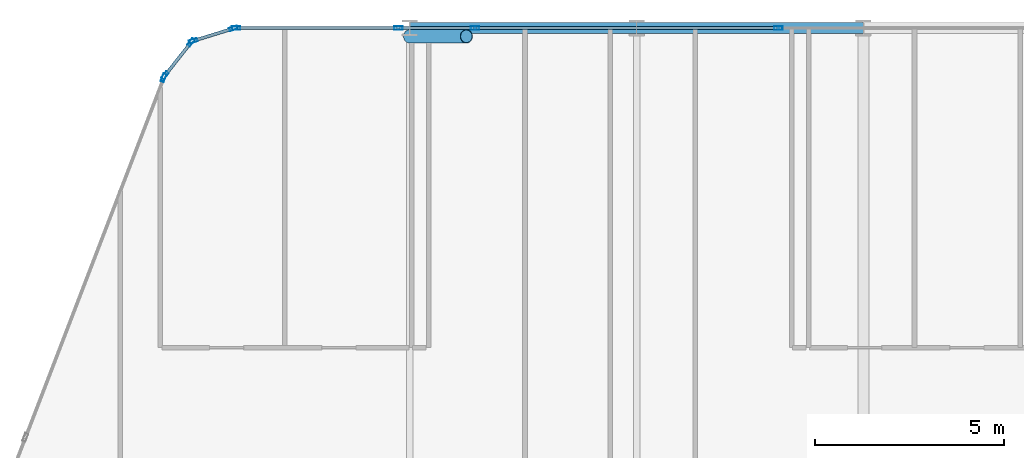
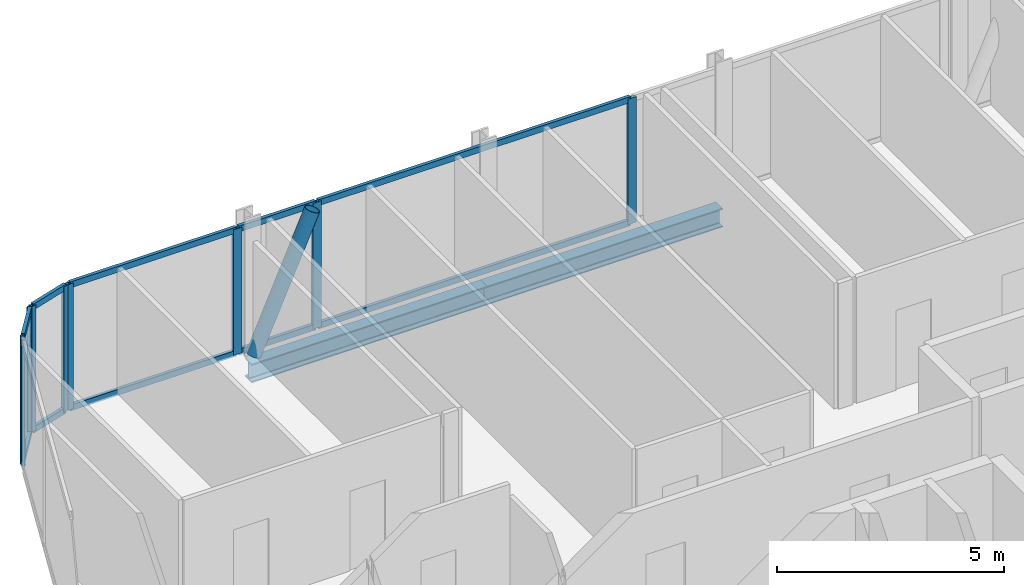
# One storey, part 13 of 33: 20 members, 2 beams, 6 elements without a shape of their own.
"""IFC4 building model written with IfcOpenShell, lengths in metres."""

import ifcopenshell
import ifcopenshell.guid

model = None  # the IFC model being written
_history = None  # IfcOwnerHistory: only IFC2X3 demands one
_inside = {}  # id of a spatial element -> (the spatial element, [elements in it])
_under = {}  # id of a project, library or spatial element -> (it, [spatial elements below it])
_declared = {}  # id of a project -> (the project, [libraries it declares])
_typed = {}  # id of a type object -> (the type object, [elements of that type])
_made_of = {}  # id of a material, layer set ... -> (it, [elements and type objects made of it])


def new_model(schema):
    """Start an empty IFC model of exactly this schema.

    Asked for "IFC4X3", IfcOpenShell would pick the latest addendum, in which some entities
    have other attributes; the version numbers below select the first issue.
    IFC2X3 requires an IfcOwnerHistory on every rooted entity: one is made here for all.
    """
    global model, _history
    if schema == "IFC4X3":
        model = ifcopenshell.file(schema_version=(4, 3, 0, 0))
    else:
        model = ifcopenshell.file(schema=schema)
    _inside.clear()
    _under.clear()
    _declared.clear()
    _typed.clear()
    _made_of.clear()
    _history = None
    if model.schema == "IFC2X3":
        org = make("IfcOrganization", Name="unknown")
        user = make(
            "IfcPersonAndOrganization",
            ThePerson=make("IfcPerson", FamilyName="unknown"),
            TheOrganization=org,
        )
        app = make(
            "IfcApplication",
            ApplicationDeveloper=org,
            Version="unknown",
            ApplicationFullName="unknown",
            ApplicationIdentifier="unknown",
        )
        _history = make(
            "IfcOwnerHistory",
            OwningUser=user,
            OwningApplication=app,
            ChangeAction="ADDED",
            CreationDate=0,
        )
    return model


def make(cls, **values):
    """One entity of the class cls with the attributes given. An attribute that is None is left unset."""
    return model.create_entity(
        cls, **{name: value for name, value in values.items() if value is not None}
    )


def rooted(cls, **values):
    """An entity with a GlobalId (a new one), such as an element, a storey or a relation."""
    return make(cls, GlobalId=ifcopenshell.guid.new(), OwnerHistory=_history, **values)


def si_unit(unit_type, name, prefix=None):
    """IfcSIUnit, for example si_unit("LENGTHUNIT", "METRE", prefix="MILLI")."""
    return make("IfcSIUnit", UnitType=unit_type, Prefix=prefix, Name=name)


def assignment(units):
    """IfcUnitAssignment: the units of a project."""
    return None if units is None else make("IfcUnitAssignment", Units=units)


def point(xyz):
    """IfcCartesianPoint."""
    return None if xyz is None else make("IfcCartesianPoint", Coordinates=xyz)


def direction(xyz):
    """IfcDirection."""
    return None if xyz is None else make("IfcDirection", DirectionRatios=xyz)


def frame(location, z_axis=None, x_axis=None):
    """IfcAxis2Placement3D, a coordinate frame: its origin and axes. An axis left out is left unset."""
    return make(
        "IfcAxis2Placement3D",
        Location=point(location),
        Axis=direction(z_axis),
        RefDirection=direction(x_axis),
    )


def frame_2d(location, x_axis=None):
    """IfcAxis2Placement2D, a coordinate frame in the plane: its origin and x axis."""
    return make(
        "IfcAxis2Placement2D", Location=point(location), RefDirection=direction(x_axis)
    )


def origin():
    """The frame at (0, 0, 0) with its axes left unset."""
    return frame((0.0, 0.0, 0.0))


def origin_2d():
    """The frame at (0, 0) in the plane with its x axis left unset."""
    return frame_2d((0.0, 0.0))


def place(relative_to, where):
    """IfcLocalPlacement: puts the frame where relative to a parent placement (None: the world)."""
    return make(
        "IfcLocalPlacement", PlacementRelTo=relative_to, RelativePlacement=where
    )


def context(
    kind, dimensions, precision=None, world=None, true_north=None, identifier=None
):
    """IfcGeometricRepresentationContext, for example the 3D "Model" context."""
    return make(
        "IfcGeometricRepresentationContext",
        ContextIdentifier=identifier,
        ContextType=kind,
        CoordinateSpaceDimension=dimensions,
        Precision=precision,
        WorldCoordinateSystem=world,
        TrueNorth=true_north,
    )


def subcontext(parent, identifier, kind, view, scale=None):
    """IfcGeometricRepresentationSubContext, for example "Body" below "Model"."""
    return make(
        "IfcGeometricRepresentationSubContext",
        ContextIdentifier=identifier,
        ContextType=kind,
        ParentContext=parent,
        TargetScale=scale,
        TargetView=view,
    )


def project(units=None, contexts=None):
    """IfcProject with its units and contexts."""
    return rooted(
        "IfcProject",
        Name="project",
        RepresentationContexts=contexts,
        UnitsInContext=assignment(units),
    )


def spatial(cls, under=None, at=None, **own):
    """A site, building, storey or space (cls), placed at a placement, below another one or the project."""
    s = rooted(cls, ObjectPlacement=at, **own)
    if under is not None:
        _under.setdefault(under.id(), (under, []))[1].append(s)
    return s


def profile(cls, at=None, kind="AREA", **sizes):
    """A parametric profile (cls). Its sizes go by their IFC names, for example OverallWidth=200.0."""
    return make(cls, ProfileType=kind, Position=at, **sizes)


def hollow_rectangle(**sizes):
    """IfcRectangleHollowProfileDef."""
    return profile("IfcRectangleHollowProfileDef", **sizes)


def hollow_circle(**sizes):
    """IfcCircleHollowProfileDef."""
    return profile("IfcCircleHollowProfileDef", **sizes)


def i_section(**sizes):
    """IfcIShapeProfileDef."""
    return profile("IfcIShapeProfileDef", **sizes)


def extrude(swept, where, along, depth):
    """IfcExtrudedAreaSolid: the profile swept, set in the frame where, extruded along a direction by depth."""
    return make(
        "IfcExtrudedAreaSolid",
        SweptArea=swept,
        Position=where,
        ExtrudedDirection=direction(along),
        Depth=depth,
    )


def shape(context_of_items, identifier, shape_type, items):
    """IfcShapeRepresentation: the items that make up one representation, for example the "Body"."""
    return make(
        "IfcShapeRepresentation",
        ContextOfItems=context_of_items,
        RepresentationIdentifier=identifier,
        RepresentationType=shape_type,
        Items=items,
    )


def material(Name=None, Category=None):
    """IfcMaterial."""
    return make("IfcMaterial", Name=Name, Category=Category)


def layer(
    of_material, thickness, ventilated=None, Name=None, Category=None, Priority=None
):
    """IfcMaterialLayer: one layer of a wall or slab, of a material (None: an air gap)."""
    return make(
        "IfcMaterialLayer",
        Material=of_material,
        LayerThickness=thickness,
        IsVentilated=ventilated,
        Name=Name,
        Category=Category,
        Priority=Priority,
    )


def layer_set(layers, Name=None):
    """IfcMaterialLayerSet."""
    return make("IfcMaterialLayerSet", MaterialLayers=layers, LayerSetName=Name)


def material_profile(
    of_material, cross_section, Name=None, Category=None, Priority=None
):
    """IfcMaterialProfile: a cross section and its material."""
    return make(
        "IfcMaterialProfile",
        Name=Name,
        Material=of_material,
        Profile=cross_section,
        Priority=Priority,
        Category=Category,
    )


def profile_set(profiles, Name=None, composite=None):
    """IfcMaterialProfileSet."""
    return make(
        "IfcMaterialProfileSet",
        Name=Name,
        MaterialProfiles=profiles,
        CompositeProfile=composite,
    )


def made_of(thing, what):
    """Note that an element or type object is made of a material, layer set ...; save() writes the relation."""
    if what is not None:
        _made_of.setdefault(what.id(), (what, []))[1].append(thing)
    return thing


def type_object(cls, material=None, **own):
    """A type object (cls), such as IfcWallType, which elements share."""
    return made_of(rooted(cls, **own), material)


def element(
    cls,
    number,
    at=None,
    inside=None,
    cuts=None,
    type_object=None,
    material=None,
    context=None,
    identifier="Body",
    shape_type=None,
    held_by="IfcProductDefinitionShape",
    body=None,
    shapes=None,
    **own,
):
    """One element of the class cls, such as IfcWall. Its Tag is "e" and its number.

    at: its placement. inside: the storey or other place that contains it. cuts: it is an
    opening in that element (IfcRelVoidsElement). A single representation is given by context,
    identifier, shape_type and body (its items); several are given by shapes. held_by: the class
    of the entity that holds the representations. save() writes the other relations.
    """
    e = rooted(cls, Tag="e%d" % number, ObjectPlacement=at, **own)
    if body is not None:
        shapes = [shape(context, identifier, shape_type, body)]
    if shapes is not None:
        e.Representation = make(held_by, Representations=shapes)
    if inside is not None:
        _inside.setdefault(inside.id(), (inside, []))[1].append(e)
    if cuts is not None:
        rooted(
            "IfcRelVoidsElement", RelatingBuildingElement=cuts, RelatedOpeningElement=e
        )
    if type_object is not None:
        _typed.setdefault(type_object.id(), (type_object, []))[1].append(e)
    return made_of(e, material)


def aggregate(whole, parts):
    """IfcRelAggregates: a whole, such as a stair, and the parts it consists of."""
    return rooted("IfcRelAggregates", RelatingObject=whole, RelatedObjects=parts)


def save(model, path):
    """Write the relations noted so far, then the file.

    IfcRelAggregates (storeys below a building ...), IfcRelContainedInSpatialStructure (elements
    in a storey), IfcRelDefinesByType, IfcRelAssociatesMaterial and IfcRelDeclares: one each for
    every whole, place, type object, material and project.
    """
    for whole, parts in _under.values():
        aggregate(whole, parts)
    for where, things in _inside.values():
        rooted(
            "IfcRelContainedInSpatialStructure",
            RelatedElements=things,
            RelatingStructure=where,
        )
    for kind, things in _typed.values():
        rooted("IfcRelDefinesByType", RelatedObjects=things, RelatingType=kind)
    for what, things in _made_of.values():
        rooted("IfcRelAssociatesMaterial", RelatedObjects=things, RelatingMaterial=what)
    for by, libraries in _declared.values():
        rooted("IfcRelDeclares", RelatingContext=by, RelatedDefinitions=libraries)
    model.write(path)


model = new_model("IFC4")

# Units and contexts
model_context = context("Model", 3, precision=1e-05, world=origin(), true_north=direction((0.0, 1.0)))
body_context = subcontext(model_context, "Body", "Model", "MODEL_VIEW")
ifc_project = project(units=[si_unit("LENGTHUNIT", "METRE"), si_unit("AREAUNIT", "SQUARE_METRE"), si_unit("VOLUMEUNIT", "CUBIC_METRE"), si_unit("PLANEANGLEUNIT", "RADIAN"), si_unit("MASSUNIT", "GRAM", prefix="KILO")], contexts=[model_context])

# Site, building, storey
site_placement = place(None, origin())
site = spatial("IfcSite", under=ifc_project, at=site_placement, CompositionType="ELEMENT")
building_placement = place(site_placement, origin())
building = spatial("IfcBuilding", under=site, at=building_placement, Name="Keshet Zoharim Tower", CompositionType="ELEMENT")
storey_placement = place(building_placement, frame((0.0, 0.0, 49.89990234375)))
storey = spatial("IfcBuildingStorey", under=building, at=storey_placement, Name="L11", CompositionType="ELEMENT", Elevation=49.89990234375)

# Beams
ifc_material_1 = material(Name="Steel S355", Category="steel")
ifc_material_profile_1 = material_profile(ifc_material_1, i_section(OverallWidth=0.300048828125, OverallDepth=0.5, WebThickness=0.014404296875, FlangeThickness=0.028076171875, FilletRadius=0.027099609375, at=origin_2d()), Name="HEB500")
ifc_profile_set_1 = profile_set([ifc_material_profile_1], Name="Steel S355")
beam_type = type_object("IfcBeamType", Name="BM-WEB-HB500", PredefinedType="BEAM", material=ifc_profile_set_1)
for number, where, z_axis, x_axis, name in (
    (1, (21.0, 53.89990234375, -0.56494140625), (1.0, 0.0, 0.0), (0.0, 1.0, 0.0), "L11 Primary Girder X-029"),
    (2, (27.0, 53.89990234375, -0.56494140625), (1.0, 0.0, 0.0), (0.0, 1.0, 0.0), "L11 Primary Girder X-030"),
):
    element("IfcBeam", number, at=place(storey_placement, frame(where, z_axis=z_axis, x_axis=x_axis)), inside=storey, type_object=beam_type, Name=name, PredefinedType="BEAM", context=body_context, shape_type="SweptSolid", body=[
        extrude(i_section(OverallWidth=0.300048828125, OverallDepth=0.5, WebThickness=0.014404296875, FlangeThickness=0.028076171875, FilletRadius=0.027099609375, at=origin_2d()), origin(), (0.0, 0.0, 1.0), 6.0),
    ])

# Curtain wall, member
ifc_material_2 = material(Name="Aluminium 6063-T6", Category="aluminium")
ifc_layer_1 = layer(ifc_material_2, 0.179931640625)
ifc_layer_set_1 = layer_set([ifc_layer_1], Name="Aluminium 6063-T6")
curtain_wall_type_1 = type_object("IfcCurtainWallType", Name="CW-SYS-01", PredefinedType="NOTDEFINED", material=ifc_layer_set_1)
curtain_wall_1_placement = place(storey_placement, origin())
curtain_wall_1 = element("IfcCurtainWall", 3, at=curtain_wall_1_placement, inside=storey, type_object=curtain_wall_type_1, Name="L11 Unitised Curtain Wall 04", PredefinedType="NOTDEFINED")
ifc_material_profile_2 = material_profile(ifc_material_2, hollow_rectangle(XDim=0.090087890625, YDim=0.219970703125, WallThickness=0.0048828125, at=origin_2d()), Name="MUL-90x220")
ifc_profile_set_2 = profile_set([ifc_material_profile_2], Name="Aluminium 6063-T6")
member_type_1 = type_object("IfcMemberType", Name="CWM-M22", PredefinedType="MULLION", material=ifc_profile_set_2)
member_1_placement = place(storey_placement, frame((14.494384765625, 52.58544921875, 0.0), z_axis=(0.0, 0.0, 1.0), x_axis=(-0.933341404361, 0.358990003907, 0.0)))
member_1 = element("IfcMember", 4, at=member_1_placement, type_object=member_type_1, Name="CW-01 mullion 4", PredefinedType="MULLION", context=body_context, shape_type="SweptSolid", body=[
    extrude(hollow_rectangle(XDim=0.090087890625, YDim=0.219970703125, WallThickness=0.0048828125, at=origin_2d()), origin(), (0.0, 0.0, 1.0), 3.385009765625),
])
aggregate(curtain_wall_1, [member_1])

# Curtain wall, members
curtain_wall_2_placement = place(storey_placement, origin())
curtain_wall_2 = element("IfcCurtainWall", 5, at=curtain_wall_2_placement, inside=storey, type_object=curtain_wall_type_1, Name="L11 Unitised Curtain Wall 05", PredefinedType="NOTDEFINED")
member_2_placement = place(storey_placement, frame((14.528564453125, 52.6455078125, 0.0), z_axis=(0.0, 0.0, 1.0), x_axis=(-0.785292825205, 0.619124525989, 0.0)))
member_2 = element("IfcMember", 6, at=member_2_placement, type_object=member_type_1, Name="CW-01 mullion 1", PredefinedType="MULLION", context=body_context, shape_type="SweptSolid", body=[
    extrude(hollow_rectangle(XDim=0.090087890625, YDim=0.219970703125, WallThickness=0.0048828125, at=origin_2d()), origin(), (0.0, 0.0, 1.0), 3.385009765625),
])
member_3_placement = place(storey_placement, frame((15.21923828125, 53.521484375, 0.0), z_axis=(0.0, 0.0, 1.0), x_axis=(-0.785292825205, 0.619124525989, 0.0)))
member_3 = element("IfcMember", 7, at=member_3_placement, type_object=member_type_1, Name="CW-01 mullion 2", PredefinedType="MULLION", context=body_context, shape_type="SweptSolid", body=[
    extrude(hollow_rectangle(XDim=0.090087890625, YDim=0.219970703125, WallThickness=0.0048828125, at=origin_2d()), origin(), (0.0, 0.0, 1.0), 3.385009765625),
])

curtain_wall_3_placement = place(storey_placement, origin())
curtain_wall_3 = element("IfcCurtainWall", 8, at=curtain_wall_3_placement, inside=storey, type_object=curtain_wall_type_1, Name="L11 Unitised Curtain Wall 06", PredefinedType="NOTDEFINED")
member_4_placement = place(storey_placement, frame((15.2744140625, 53.559326171875, 0.0), z_axis=(0.0, 0.0, 1.0), x_axis=(-0.295921857984, 0.955212151288, 0.0)))
member_4 = element("IfcMember", 9, at=member_4_placement, type_object=member_type_1, Name="CW-01 mullion 1", PredefinedType="MULLION", context=body_context, shape_type="SweptSolid", body=[
    extrude(hollow_rectangle(XDim=0.090087890625, YDim=0.219970703125, WallThickness=0.0048828125, at=origin_2d()), origin(), (0.0, 0.0, 1.0), 3.385009765625),
])
member_5_placement = place(storey_placement, frame((16.340576171875, 53.8896484375, 0.0), z_axis=(0.0, 0.0, 1.0), x_axis=(-0.295921857984, 0.955212151288, 0.0)))
member_5 = element("IfcMember", 10, at=member_5_placement, type_object=member_type_1, Name="CW-01 mullion 2", PredefinedType="MULLION", context=body_context, shape_type="SweptSolid", body=[
    extrude(hollow_rectangle(XDim=0.090087890625, YDim=0.219970703125, WallThickness=0.0048828125, at=origin_2d()), origin(), (0.0, 0.0, 1.0), 3.385009765625),
])

ifc_layer_2 = layer(ifc_material_2, 0.169921875)
ifc_layer_set_2 = layer_set([ifc_layer_2], Name="Aluminium 6063-T6")
curtain_wall_type_2 = type_object("IfcCurtainWallType", Name="CW-SYS-02", PredefinedType="NOTDEFINED", material=ifc_layer_set_2)
curtain_wall_4_placement = place(storey_placement, origin())
curtain_wall_4 = element("IfcCurtainWall", 11, at=curtain_wall_4_placement, inside=storey, type_object=curtain_wall_type_2, Name="L11 Unitised Curtain Wall 07", PredefinedType="NOTDEFINED")
member_6_placement = place(storey_placement, frame((16.408935546875, 53.89990234375, 0.0), z_axis=(0.0, 0.0, 1.0), x_axis=(0.0, 1.0, 0.0)))
member_6 = element("IfcMember", 12, at=member_6_placement, type_object=member_type_1, Name="CW-02 mullion 1", PredefinedType="MULLION", context=body_context, shape_type="SweptSolid", body=[
    extrude(hollow_rectangle(XDim=0.090087890625, YDim=0.219970703125, WallThickness=0.0048828125, at=origin_2d()), origin(), (0.0, 0.0, 1.0), 3.385009765625),
])
member_7_placement = place(storey_placement, frame((20.702392578125, 53.89990234375, 0.0), z_axis=(0.0, 0.0, 1.0), x_axis=(0.0, 1.0, 0.0)))
member_7 = element("IfcMember", 13, at=member_7_placement, type_object=member_type_1, Name="CW-02 mullion 2", PredefinedType="MULLION", context=body_context, shape_type="SweptSolid", body=[
    extrude(hollow_rectangle(XDim=0.090087890625, YDim=0.219970703125, WallThickness=0.0048828125, at=origin_2d()), origin(), (0.0, 0.0, 1.0), 3.385009765625),
])

# Curtain wall, member
curtain_wall_5_placement = place(storey_placement, origin())
curtain_wall_5 = element("IfcCurtainWall", 14, at=curtain_wall_5_placement, inside=storey, type_object=curtain_wall_type_2, Name="L11 Unitised Curtain Wall 07 Part 2", PredefinedType="NOTDEFINED")
member_8_placement = place(storey_placement, frame((22.7275390625, 53.89990234375, 0.0), z_axis=(0.0, 0.0, 1.0), x_axis=(0.0, 1.0, 0.0)))
member_8 = element("IfcMember", 15, at=member_8_placement, type_object=member_type_1, Name="CW-02 mullion 2", PredefinedType="MULLION", context=body_context, shape_type="SweptSolid", body=[
    extrude(hollow_rectangle(XDim=0.090087890625, YDim=0.219970703125, WallThickness=0.0048828125, at=origin_2d()), origin(), (0.0, 0.0, 1.0), 3.385009765625),
])

curtain_wall_6_placement = place(storey_placement, origin())
curtain_wall_6 = element("IfcCurtainWall", 16, at=curtain_wall_6_placement, inside=storey, type_object=curtain_wall_type_2, Name="L11 Unitised Curtain Wall 07 Part 3", PredefinedType="NOTDEFINED")
member_9_placement = place(storey_placement, frame((30.75, 53.89990234375, 0.0), z_axis=(0.0, 0.0, 1.0), x_axis=(0.0, 1.0, 0.0)))
member_9 = element("IfcMember", 17, at=member_9_placement, type_object=member_type_1, Name="CW-02 mullion 2", PredefinedType="MULLION", context=body_context, shape_type="SweptSolid", body=[
    extrude(hollow_rectangle(XDim=0.090087890625, YDim=0.219970703125, WallThickness=0.0048828125, at=origin_2d()), origin(), (0.0, 0.0, 1.0), 3.385009765625),
])

# Member
ifc_material_profile_3 = material_profile(ifc_material_2, hollow_rectangle(XDim=0.0849609375, YDim=0.159912109375, WallThickness=0.00439453125, at=origin_2d()), Name="TRN-85x160")
ifc_profile_set_3 = profile_set([ifc_material_profile_3], Name="Aluminium 6063-T6")
member_type_2 = type_object("IfcMemberType", Name="CWT-T16", PredefinedType="USERDEFINED", material=ifc_profile_set_3)
member_10_placement = place(storey_placement, frame((14.55029296875, 52.6728515625, 0.03515625), z_axis=(0.619099165969, 0.78531281837, 0.0), x_axis=(-0.78531281837, 0.619099165969, 0.0)))
member_10 = element("IfcMember", 18, at=member_10_placement, type_object=member_type_2, Name="CW-01 transom 1.1", ObjectType="TRANSOM", PredefinedType="USERDEFINED", context=body_context, shape_type="SweptSolid", body=[
    extrude(hollow_rectangle(XDim=0.0849609375, YDim=0.159912109375, WallThickness=0.00439453125, at=origin_2d()), origin(), (0.0, 0.0, 1.0), 1.0458984375),
])

member_11_placement = place(storey_placement, frame((14.55029296875, 52.6728515625, 3.35009765625), z_axis=(0.619099165969, 0.78531281837, 0.0), x_axis=(-0.78531281837, 0.619099165969, 0.0)))
member_11 = element("IfcMember", 19, at=member_11_placement, type_object=member_type_2, Name="CW-01 transom 1.2", ObjectType="TRANSOM", PredefinedType="USERDEFINED", context=body_context, shape_type="SweptSolid", body=[
    extrude(hollow_rectangle(XDim=0.0849609375, YDim=0.159912109375, WallThickness=0.00439453125, at=origin_2d()), origin(), (0.0, 0.0, 1.0), 1.0458984375),
])

aggregate(curtain_wall_2, [member_2, member_3, member_10, member_11])

member_12_placement = place(storey_placement, frame((15.307861328125, 53.56982421875, 0.03515625), z_axis=(0.955212093062, 0.295922045933, 0.0), x_axis=(-0.295922045933, 0.955212093062, 0.0)))
member_12 = element("IfcMember", 20, at=member_12_placement, type_object=member_type_2, Name="CW-01 transom 1.1", ObjectType="TRANSOM", PredefinedType="USERDEFINED", context=body_context, shape_type="SweptSolid", body=[
    extrude(hollow_rectangle(XDim=0.0849609375, YDim=0.159912109375, WallThickness=0.00439453125, at=origin_2d()), origin(), (0.0, 0.0, 1.0), 1.046142578125),
])

member_13_placement = place(storey_placement, frame((15.307861328125, 53.56982421875, 3.35009765625), z_axis=(0.955212093062, 0.295922045933, 0.0), x_axis=(-0.295922045933, 0.955212093062, 0.0)))
member_13 = element("IfcMember", 21, at=member_13_placement, type_object=member_type_2, Name="CW-01 transom 1.2", ObjectType="TRANSOM", PredefinedType="USERDEFINED", context=body_context, shape_type="SweptSolid", body=[
    extrude(hollow_rectangle(XDim=0.0849609375, YDim=0.159912109375, WallThickness=0.00439453125, at=origin_2d()), origin(), (0.0, 0.0, 1.0), 1.046142578125),
])

aggregate(curtain_wall_3, [member_4, member_5, member_12, member_13])

member_14_placement = place(storey_placement, frame((16.444091796875, 53.89990234375, 0.03515625), z_axis=(1.0, 0.0, 0.0), x_axis=(0.0, 1.0, 0.0)))
member_14 = element("IfcMember", 22, at=member_14_placement, type_object=member_type_2, Name="CW-02 transom 1.1", ObjectType="TRANSOM", PredefinedType="USERDEFINED", context=body_context, shape_type="SweptSolid", body=[
    extrude(hollow_rectangle(XDim=0.0849609375, YDim=0.159912109375, WallThickness=0.00439453125, at=origin_2d()), origin(), (0.0, 0.0, 1.0), 4.223388671875),
])

member_15_placement = place(storey_placement, frame((16.444091796875, 53.89990234375, 3.35009765625), z_axis=(1.0, 0.0, 0.0), x_axis=(0.0, 1.0, 0.0)))
member_15 = element("IfcMember", 23, at=member_15_placement, type_object=member_type_2, Name="CW-02 transom 1.2", ObjectType="TRANSOM", PredefinedType="USERDEFINED", context=body_context, shape_type="SweptSolid", body=[
    extrude(hollow_rectangle(XDim=0.0849609375, YDim=0.159912109375, WallThickness=0.00439453125, at=origin_2d()), origin(), (0.0, 0.0, 1.0), 4.223388671875),
])

aggregate(curtain_wall_4, [member_6, member_7, member_14, member_15])

member_16_placement = place(storey_placement, frame((20.7373046875, 53.89990234375, 0.03515625), z_axis=(1.0, 0.0, 0.0), x_axis=(0.0, 1.0, 0.0)))
member_16 = element("IfcMember", 24, at=member_16_placement, type_object=member_type_2, Name="CW-02 transom 1.1", ObjectType="TRANSOM", PredefinedType="USERDEFINED", context=body_context, shape_type="SweptSolid", body=[
    extrude(hollow_rectangle(XDim=0.0849609375, YDim=0.159912109375, WallThickness=0.00439453125, at=origin_2d()), origin(), (0.0, 0.0, 1.0), 1.955322265625),
])

member_17_placement = place(storey_placement, frame((20.7373046875, 53.89990234375, 3.35009765625), z_axis=(1.0, 0.0, 0.0), x_axis=(0.0, 1.0, 0.0)))
member_17 = element("IfcMember", 25, at=member_17_placement, type_object=member_type_2, Name="CW-02 transom 1.2", ObjectType="TRANSOM", PredefinedType="USERDEFINED", context=body_context, shape_type="SweptSolid", body=[
    extrude(hollow_rectangle(XDim=0.0849609375, YDim=0.159912109375, WallThickness=0.00439453125, at=origin_2d()), origin(), (0.0, 0.0, 1.0), 1.955322265625),
])

aggregate(curtain_wall_5, [member_8, member_16, member_17])

member_18_placement = place(storey_placement, frame((22.7626953125, 53.89990234375, 0.03515625), z_axis=(1.0, 0.0, 0.0), x_axis=(0.0, 1.0, 0.0)))
member_18 = element("IfcMember", 26, at=member_18_placement, type_object=member_type_2, Name="CW-02 transom 1.1", ObjectType="TRANSOM", PredefinedType="USERDEFINED", context=body_context, shape_type="SweptSolid", body=[
    extrude(hollow_rectangle(XDim=0.0849609375, YDim=0.159912109375, WallThickness=0.00439453125, at=origin_2d()), origin(), (0.0, 0.0, 1.0), 7.952392578125),
])

member_19_placement = place(storey_placement, frame((22.7626953125, 53.89990234375, 3.35009765625), z_axis=(1.0, 0.0, 0.0), x_axis=(0.0, 1.0, 0.0)))
member_19 = element("IfcMember", 27, at=member_19_placement, type_object=member_type_2, Name="CW-02 transom 1.2", ObjectType="TRANSOM", PredefinedType="USERDEFINED", context=body_context, shape_type="SweptSolid", body=[
    extrude(hollow_rectangle(XDim=0.0849609375, YDim=0.159912109375, WallThickness=0.00439453125, at=origin_2d()), origin(), (0.0, 0.0, 1.0), 7.952392578125),
])

aggregate(curtain_wall_6, [member_9, member_18, member_19])

ifc_material_profile_4 = material_profile(ifc_material_1, hollow_circle(Radius=0.177734375, WallThickness=0.012451171875, at=origin_2d()), Name="CHS355x12.5")
ifc_profile_set_4 = profile_set([ifc_material_profile_4], Name="Steel S355")
member_type_3 = type_object("IfcMemberType", Name="MB-BR-C355", PredefinedType="BRACE", material=ifc_profile_set_4)
member_20_placement = place(storey_placement, frame((21.0, 53.679931640625, 0.0), z_axis=(0.405134846829, 0.0, 0.91425694194), x_axis=(0.0, 1.0, 0.0)))
element("IfcMember", 28, at=member_20_placement, inside=storey, type_object=member_type_3, Name="L11 Perimeter Tube Brace 01", PredefinedType="BRACE", context=body_context, shape_type="SweptSolid", body=[
    extrude(hollow_circle(Radius=0.177734375, WallThickness=0.012451171875, at=origin_2d()), origin(), (0.0, 0.0, 1.0), 3.702392578125),
])

save(model, "model.ifc")
